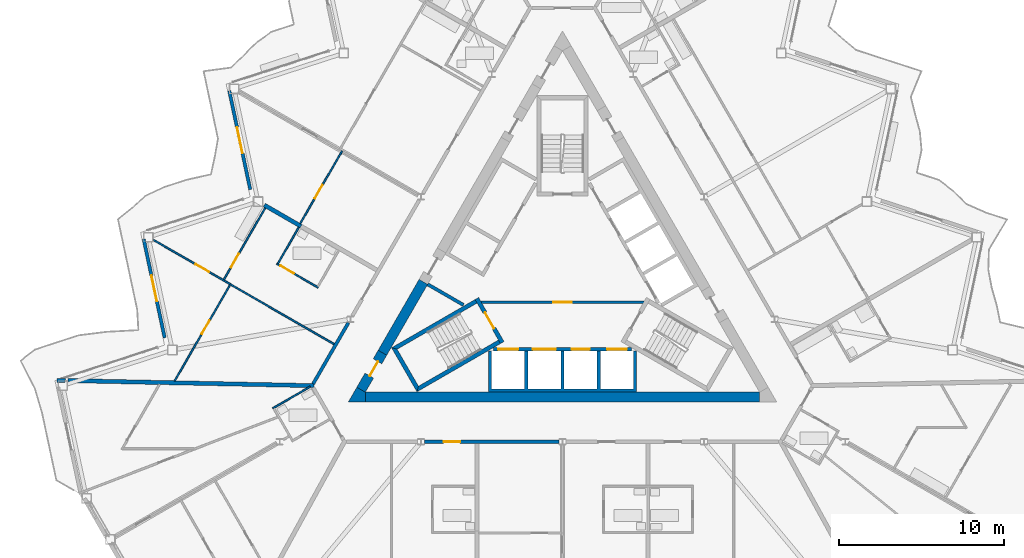
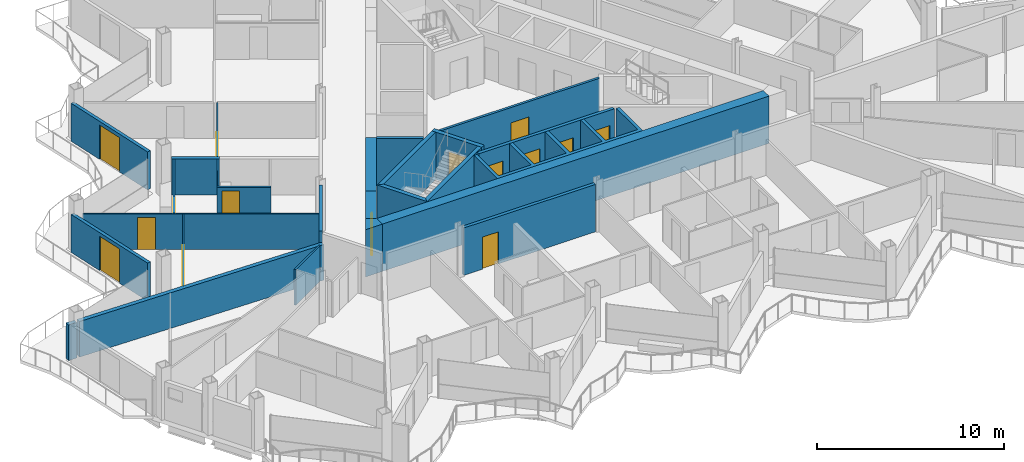
# One storey, part 14 of 27: 26 walls, 15 doors, 15 openings.
"""IFC4 building model written with IfcOpenShell, lengths in metres."""

from ifc_helpers import new_model, si_unit, direction, frame, frame_2d, origin, place, context, subcontext, project, spatial, polyline, rectangle, outline, extrude, material, layer, layer_set, type_object, element, fill, save


model = new_model("IFC4")

# Units and contexts
model_context = context("Model", 3, precision=1e-05, world=origin(), true_north=direction((0.0, 1.0)))
body_context = subcontext(model_context, "Body", "Model", "MODEL_VIEW")
ifc_project = project(units=[si_unit("LENGTHUNIT", "METRE"), si_unit("AREAUNIT", "SQUARE_METRE"), si_unit("VOLUMEUNIT", "CUBIC_METRE"), si_unit("PLANEANGLEUNIT", "RADIAN"), si_unit("MASSUNIT", "GRAM", prefix="KILO")], contexts=[model_context])

# Site, building, storey
site_placement = place(None, origin())
site = spatial("IfcSite", under=ifc_project, at=site_placement, CompositionType="ELEMENT")
building_placement = place(site_placement, origin())
building = spatial("IfcBuilding", under=site, at=building_placement, Name="Cormorant Prow Tower", CompositionType="ELEMENT")
storey_placement = place(building_placement, frame((0.0, 0.0, 318.800048828125)))
storey = spatial("IfcBuildingStorey", under=building, at=storey_placement, Name="L70", CompositionType="ELEMENT", Elevation=318.800048828125)

# Wall, opening, door
ifc_material_1 = material(Name="Gypsum board partition")
ifc_layer_1 = layer(ifc_material_1, 0.14990234375)
ifc_layer_set_1 = layer_set([ifc_layer_1], Name="Gypsum board partition")
wall_type_1 = type_object("IfcWallType", Name="Core partition 150", PredefinedType="PARTITIONING", material=ifc_layer_set_1)
wall_1_placement = place(storey_placement, frame((-4.941162109375, -1.449951171875, 0.0), z_axis=(0.0, 0.0, 1.0), x_axis=(1.0, 0.0, 0.0)))
wall_1 = element("IfcWall", 1, at=wall_1_placement, inside=storey, type_object=wall_type_1, Name="Firefighting lobby partition", PredefinedType="PARTITIONING", context=body_context, shape_type="SweptSolid", body=[
    extrude(rectangle(XDim=9.88232421875, YDim=0.14990234375, at=frame_2d((4.941162109375, 0.0))), origin(), (0.0, 0.0, 1.0), 3.099853515625),
])
opening_1_placement = place(wall_1_placement, frame((4.39111328125, 0.0, 0.0)))
opening_1 = element("IfcOpeningElement", 2, at=opening_1_placement, cuts=wall_1, Name="Opening L70-C11", PredefinedType="OPENING", context=body_context, shape_type="SweptSolid", body=[
    extrude(rectangle(XDim=1.10009765625, YDim=2.10009765625, at=frame_2d((0.550048828125, 1.050048828125))), frame((0.0, 0.0849609375, 0.0), z_axis=(0.0, -1.0, 0.0), x_axis=(1.0, 0.0, 0.0)), (0.0, 0.0, 1.0), 0.169921875),
])
ifc_material_2 = material(Name="Painted steel", Category="steel")
door_type_1 = type_object("IfcDoorType", Name="Firefighting lobby door 1100x2100", OperationType="NOTDEFINED", PredefinedType="DOOR", material=ifc_material_2)
door_1_placement = place(opening_1_placement, origin())
door_1 = element("IfcDoor", 3, at=door_1_placement, inside=storey, type_object=door_type_1, Name="Firefighting lobby door", OperationType="SINGLE_SWING_LEFT", OverallHeight=2.10009765625, OverallWidth=1.10009765625, PredefinedType="DOOR", context=body_context, shape_type="SweptSolid", body=[
    extrude(rectangle(XDim=1.10009765625, YDim=2.10009765625, at=frame_2d((0.550048828125, 1.050048828125))), frame((0.0, 0.02490234375, 0.0), z_axis=(0.0, -1.0, 0.0), x_axis=(1.0, 0.0, 0.0)), (0.0, 0.0, 1.0), 0.050048828125),
])
fill(opening_1, door_1)

# Walls
ifc_material_3 = material(Name="Concrete 8000 psi", Category="concrete")
ifc_layer_2 = layer(ifc_material_3, 0.60009765625)
ifc_layer_set_2 = layer_set([ifc_layer_2], Name="Concrete 8000 psi")
wall_type_2 = type_object("IfcWallType", Name="Core shear wall 600", PredefinedType="SHEAR", material=ifc_layer_set_2)
wall_2_placement = place(storey_placement, frame((-11.960693359375, -7.20556640625, 0.0), z_axis=(0.0, 0.0, 1.0), x_axis=(1.0, 0.0, 0.0)))
element("IfcWall", 4, at=wall_2_placement, inside=storey, type_object=wall_type_2, Name="Core wall", PredefinedType="SHEAR", context=body_context, shape_type="SweptSolid", body=[
    extrude(rectangle(XDim=23.92138671875, YDim=0.60009765625, at=frame_2d((11.960693359375, 0.0))), origin(), (0.0, 0.0, 1.0), 3.099853515625),
])
wall_3_placement = place(storey_placement, frame((-8.440185546875, -0.207763671875, 0.0), z_axis=(0.0, 0.0, 1.0), x_axis=(-0.500007425856, -0.866021116422, 0.0)))
element("IfcWall", 5, at=wall_3_placement, inside=storey, type_object=wall_type_2, Name="Core wall", PredefinedType="SHEAR", context=body_context, shape_type="SweptSolid", body=[
    extrude(rectangle(XDim=4.96875, YDim=0.60009765625, at=frame_2d((2.484375, 0.0))), origin(), (0.0, 0.0, 1.0), 3.099853515625),
])
wall_4_placement = place(storey_placement, origin())
element("IfcWall", 6, at=wall_4_placement, inside=storey, type_object=wall_type_2, Name="Core wall corner", PredefinedType="SHEAR", context=body_context, shape_type="SweptSolid", body=[
    extrude(outline(polyline([(-12.48046875, -6.605712890625), (-11.960693359375, -6.905517578125), (-11.960693359375, -7.505615234375), (-13.0, -7.505615234375), (-12.48046875, -6.605712890625)])), origin(), (0.0, 0.0, 1.0), 3.099853515625),
])

# Wall, opening, door
wall_5_placement = place(storey_placement, frame((-10.924560546875, -4.5107421875, 0.0), z_axis=(0.0, 0.0, 1.0), x_axis=(-0.500018667571, -0.866014625789, 0.0)))
wall_5 = element("IfcWall", 7, at=wall_5_placement, inside=storey, type_object=wall_type_2, Name="Core wall door panel", PredefinedType="SHEAR", context=body_context, shape_type="SweptSolid", body=[
    extrude(rectangle(XDim=2.59228515625, YDim=0.60009765625, at=frame_2d((1.296142578125, 0.0))), origin(), (0.0, 0.0, 1.0), 3.099853515625),
])
opening_2_placement = place(wall_5_placement, frame((0.60009765625, 0.0, 0.0)))
opening_2 = element("IfcOpeningElement", 8, at=opening_2_placement, cuts=wall_5, Name="Opening L70-C15", PredefinedType="OPENING", context=body_context, shape_type="SweptSolid", body=[
    extrude(rectangle(XDim=1.0, YDim=2.10009765625, at=frame_2d((0.5, 1.050048828125))), frame((0.0, 0.31005859375, 0.0), z_axis=(0.0, -1.0, 0.0), x_axis=(1.0, 0.0, 0.0)), (0.0, 0.0, 1.0), 0.6201171875),
])
ifc_material_4 = material(Name="Painted steel", Category="steel")
door_type_2 = type_object("IfcDoorType", Name="Service door 1000x2100", OperationType="NOTDEFINED", PredefinedType="DOOR", material=ifc_material_4)
door_2_placement = place(opening_2_placement, origin())
door_2 = element("IfcDoor", 9, at=door_2_placement, inside=storey, type_object=door_type_2, Name="Core door, Electrical room", OperationType="SINGLE_SWING_RIGHT", OverallHeight=2.10009765625, OverallWidth=1.0, PredefinedType="DOOR", context=body_context, shape_type="SweptSolid", body=[
    extrude(rectangle(XDim=1.0, YDim=2.10009765625, at=frame_2d((0.5, 1.050048828125))), frame((0.0, 0.05517578125, 0.0), z_axis=(0.0, -1.0, 0.0), x_axis=(1.0, 0.0, 0.0)), (0.0, 0.0, 1.0), 0.050048828125),
])
fill(opening_2, door_2)

ifc_material_5 = material(Name="Gypsum board corridor wall")
ifc_layer_3 = layer(ifc_material_5, 0.199951171875)
ifc_layer_set_3 = layer_set([ifc_layer_3], Name="Gypsum board corridor wall")
wall_type_3 = type_object("IfcWallType", Name="Corridor wall 200", PredefinedType="PARTITIONING", material=ifc_layer_set_3)
wall_6_placement = place(storey_placement, frame((-8.370849609375, -9.905517578125, 0.0), z_axis=(0.0, 0.0, 1.0), x_axis=(1.0, 0.0, 0.0)))
wall_6 = element("IfcWall", 10, at=wall_6_placement, inside=storey, type_object=wall_type_3, Name="Corridor wall", PredefinedType="PARTITIONING", context=body_context, shape_type="SweptSolid", body=[
    extrude(rectangle(XDim=8.1630859375, YDim=0.199951171875, at=frame_2d((4.08154296875, 0.0))), origin(), (0.0, 0.0, 1.0), 3.099853515625),
])
opening_3_placement = place(wall_6_placement, frame((1.15869140625, 0.0, 0.0)))
opening_3 = element("IfcOpeningElement", 11, at=opening_3_placement, cuts=wall_6, Name="Opening L70-F01", PredefinedType="OPENING", context=body_context, shape_type="SweptSolid", body=[
    extrude(rectangle(XDim=1.0, YDim=2.10009765625, at=frame_2d((0.5, 1.050048828125))), frame((0.0, 0.10986328125, 0.0), z_axis=(0.0, -1.0, 0.0), x_axis=(1.0, 0.0, 0.0)), (0.0, 0.0, 1.0), 0.219970703125),
])
ifc_material_6 = material(Name="Timber door leaf", Category="wood")
door_type_3 = type_object("IfcDoorType", Name="Flat or room entrance door 1000x2100", OperationType="NOTDEFINED", PredefinedType="DOOR", material=ifc_material_6)
door_3_placement = place(opening_3_placement, origin())
door_3 = element("IfcDoor", 12, at=door_3_placement, inside=storey, type_object=door_type_3, Name="Living room door", OperationType="SINGLE_SWING_RIGHT", OverallHeight=2.10009765625, OverallWidth=1.0, PredefinedType="DOOR", context=body_context, shape_type="SweptSolid", body=[
    extrude(rectangle(XDim=1.0, YDim=2.10009765625, at=frame_2d((0.5, 1.050048828125))), frame((0.0, 0.02490234375, 0.0), z_axis=(0.0, -1.0, 0.0), x_axis=(1.0, 0.0, 0.0)), (0.0, 0.0, 1.0), 0.050048828125),
])
fill(opening_3, door_3)

# Wall
wall_7_placement = place(storey_placement, frame((-15.13134765625, -6.397216796875, 0.0), z_axis=(0.0, 0.0, 1.0), x_axis=(0.500003406062, 0.866023437285, 0.0)))
element("IfcWall", 13, at=wall_7_placement, inside=storey, type_object=wall_type_3, Name="Corridor wall", PredefinedType="PARTITIONING", context=body_context, shape_type="SweptSolid", body=[
    extrude(rectangle(XDim=4.28759765625, YDim=0.199951171875, at=frame_2d((2.143798828125, 0.0))), origin(), (0.0, 0.0, 1.0), 3.099853515625),
])

# Wall, opening, door
ifc_material_7 = material(Name="Gypsum board partition")
ifc_layer_4 = layer(ifc_material_7, 0.10009765625)
ifc_layer_set_4 = layer_set([ifc_layer_4], Name="Gypsum board partition")
wall_type_4 = type_object("IfcWallType", Name="Internal partition 100", PredefinedType="PARTITIONING", material=ifc_layer_set_4)
wall_8_placement = place(storey_placement, frame((-24.814697265625, 2.33447265625, 0.0), z_axis=(0.0, 0.0, 1.0), x_axis=(0.866024591023, -0.500001407741, 0.0)))
wall_8 = element("IfcWall", 14, at=wall_8_placement, inside=storey, type_object=wall_type_4, Name="Internal partition", PredefinedType="PARTITIONING", context=body_context, shape_type="SweptSolid", body=[
    extrude(rectangle(XDim=12.65185546875, YDim=0.10009765625, at=frame_2d((6.325927734375, 0.0))), origin(), (0.0, 0.0, 1.0), 2.330078125),
])
opening_4_placement = place(wall_8_placement, frame((2.950439453125, 0.0, 0.0)))
opening_4 = element("IfcOpeningElement", 15, at=opening_4_placement, cuts=wall_8, Name="Opening L70-F46", PredefinedType="OPENING", context=body_context, shape_type="SweptSolid", body=[
    extrude(rectangle(XDim=0.949951171875, YDim=2.10009765625, at=frame_2d((0.47509765625, 1.050048828125))), frame((0.0, 0.06005859375, 0.0), z_axis=(0.0, -1.0, 0.0), x_axis=(1.0, 0.0, 0.0)), (0.0, 0.0, 1.0), 0.1201171875),
])
ifc_material_8 = material(Name="Timber door leaf", Category="wood")
door_type_4 = type_object("IfcDoorType", Name="Bathroom door 950x2100", OperationType="NOTDEFINED", PredefinedType="DOOR", material=ifc_material_8)
door_4_placement = place(opening_4_placement, origin())
door_4 = element("IfcDoor", 16, at=door_4_placement, inside=storey, type_object=door_type_4, Name="Kitchen door", OperationType="SINGLE_SWING_RIGHT", OverallHeight=2.10009765625, OverallWidth=0.949951171875, PredefinedType="DOOR", context=body_context, shape_type="SweptSolid", body=[
    extrude(rectangle(XDim=0.949951171875, YDim=2.10009765625, at=frame_2d((0.47509765625, 1.050048828125))), frame((0.0, 0.02490234375, 0.0), z_axis=(0.0, -1.0, 0.0), x_axis=(1.0, 0.0, 0.0)), (0.0, 0.0, 1.0), 0.050048828125),
])
fill(opening_4, door_4)

wall_9_placement = place(storey_placement, frame((-23.5361328125, -6.2236328125, 0.0), z_axis=(0.0, 0.0, 1.0), x_axis=(0.500002256251, 0.866024101133, 0.0)))
wall_9 = element("IfcWall", 17, at=wall_9_placement, inside=storey, type_object=wall_type_4, Name="Internal partition", PredefinedType="PARTITIONING", context=body_context, shape_type="SweptSolid", body=[
    extrude(rectangle(XDim=6.72216796875, YDim=0.10009765625, at=frame_2d((3.361083984375, 0.0))), origin(), (0.0, 0.0, 1.0), 2.330078125),
])
opening_5_placement = place(wall_9_placement, frame((3.291748046875, 0.0, 0.0)))
opening_5 = element("IfcOpeningElement", 18, at=opening_5_placement, cuts=wall_9, Name="Opening L70-F47", PredefinedType="OPENING", context=body_context, shape_type="SweptSolid", body=[
    extrude(rectangle(XDim=0.949951171875, YDim=2.10009765625, at=frame_2d((0.47509765625, 1.050048828125))), frame((0.0, 0.06005859375, 0.0), z_axis=(0.0, -1.0, 0.0), x_axis=(1.0, 0.0, 0.0)), (0.0, 0.0, 1.0), 0.1201171875),
])
door_5_placement = place(opening_5_placement, origin())
door_5 = element("IfcDoor", 19, at=door_5_placement, inside=storey, type_object=door_type_4, Name="Bedroom door", OperationType="SINGLE_SWING_RIGHT", OverallHeight=2.10009765625, OverallWidth=0.949951171875, PredefinedType="DOOR", context=body_context, shape_type="SweptSolid", body=[
    extrude(rectangle(XDim=0.949951171875, YDim=2.10009765625, at=frame_2d((0.47509765625, 1.050048828125))), frame((0.0, 0.02490234375, 0.0), z_axis=(0.0, -1.0, 0.0), x_axis=(1.0, 0.0, 0.0)), (0.0, 0.0, 1.0), 0.050048828125),
])
fill(opening_5, door_5)

wall_10_placement = place(storey_placement, frame((-15.91162109375, 3.334716796875, 0.0), z_axis=(0.0, 0.0, 1.0), x_axis=(0.49999906822, 0.866025941747, 0.0)))
wall_10 = element("IfcWall", 20, at=wall_10_placement, inside=storey, type_object=wall_type_4, Name="Internal partition", PredefinedType="PARTITIONING", context=body_context, shape_type="SweptSolid", body=[
    extrude(rectangle(XDim=5.06787109375, YDim=0.10009765625, at=frame_2d((2.533935546875, 0.0))), origin(), (0.0, 0.0, 1.0), 2.330078125),
])
opening_6_placement = place(wall_10_placement, frame((1.75732421875, 0.0, 0.0)))
opening_6 = element("IfcOpeningElement", 21, at=opening_6_placement, cuts=wall_10, Name="Opening L70-F41", PredefinedType="OPENING", context=body_context, shape_type="SweptSolid", body=[
    extrude(rectangle(XDim=0.949951171875, YDim=2.10009765625, at=frame_2d((0.47509765625, 1.050048828125))), frame((0.0, 0.06005859375, 0.0), z_axis=(0.0, -1.0, 0.0), x_axis=(1.0, 0.0, 0.0)), (0.0, 0.0, 1.0), 0.1201171875),
])
door_6_placement = place(opening_6_placement, origin())
door_6 = element("IfcDoor", 22, at=door_6_placement, inside=storey, type_object=door_type_4, Name="Bedroom door", OperationType="SINGLE_SWING_LEFT", OverallHeight=2.10009765625, OverallWidth=0.949951171875, PredefinedType="DOOR", context=body_context, shape_type="SweptSolid", body=[
    extrude(rectangle(XDim=0.949951171875, YDim=2.10009765625, at=frame_2d((0.47509765625, 1.050048828125))), frame((0.0, 0.02490234375, 0.0), z_axis=(0.0, -1.0, 0.0), x_axis=(1.0, 0.0, 0.0)), (0.0, 0.0, 1.0), 0.050048828125),
])
fill(opening_6, door_6)

wall_11_placement = place(storey_placement, frame((-20.546630859375, -0.072021484375, 0.0), z_axis=(0.0, 0.0, 1.0), x_axis=(0.499969537666, 0.866042990507, 0.0)))
wall_11 = element("IfcWall", 23, at=wall_11_placement, inside=storey, type_object=wall_type_4, Name="Internal partition", PredefinedType="PARTITIONING", context=body_context, shape_type="SweptSolid", body=[
    extrude(rectangle(XDim=5.017822265625, YDim=0.10009765625, at=frame_2d((2.5087890625, 0.0))), origin(), (0.0, 0.0, 1.0), 2.330078125),
])
opening_7_placement = place(wall_11_placement, frame((0.861572265625, 0.0, 0.0)))
opening_7 = element("IfcOpeningElement", 24, at=opening_7_placement, cuts=wall_11, Name="Opening L70-F45", PredefinedType="OPENING", context=body_context, shape_type="SweptSolid", body=[
    extrude(rectangle(XDim=0.949951171875, YDim=2.10009765625, at=frame_2d((0.47509765625, 1.050048828125))), frame((0.0, 0.06005859375, 0.0), z_axis=(0.0, -1.0, 0.0), x_axis=(1.0, 0.0, 0.0)), (0.0, 0.0, 1.0), 0.1201171875),
])
door_7_placement = place(opening_7_placement, origin())
door_7 = element("IfcDoor", 25, at=door_7_placement, inside=storey, type_object=door_type_4, Name="Living room door", OperationType="SINGLE_SWING_LEFT", OverallHeight=2.10009765625, OverallWidth=0.949951171875, PredefinedType="DOOR", context=body_context, shape_type="SweptSolid", body=[
    extrude(rectangle(XDim=0.949951171875, YDim=2.10009765625, at=frame_2d((0.47509765625, 1.050048828125))), frame((0.0, 0.02490234375, 0.0), z_axis=(0.0, -1.0, 0.0), x_axis=(1.0, 0.0, 0.0)), (0.0, 0.0, 1.0), 0.050048828125),
])
fill(opening_7, door_7)

wall_12_placement = place(storey_placement, frame((-17.331298828125, 0.892333984375, 0.0), z_axis=(0.0, 0.0, 1.0), x_axis=(0.866032775405, -0.499987231761, 0.0)))
wall_12 = element("IfcWall", 26, at=wall_12_placement, inside=storey, type_object=wall_type_4, Name="Internal partition", PredefinedType="PARTITIONING", context=body_context, shape_type="SweptSolid", body=[
    extrude(rectangle(XDim=2.89990234375, YDim=0.10009765625, at=frame_2d((1.449951171875, 0.0))), origin(), (0.0, 0.0, 1.0), 2.330078125),
])
opening_8_placement = place(wall_12_placement, frame((0.25, 0.0, 0.0)))
opening_8 = element("IfcOpeningElement", 27, at=opening_8_placement, cuts=wall_12, Name="Opening L70-F44", PredefinedType="OPENING", context=body_context, shape_type="SweptSolid", body=[
    extrude(rectangle(XDim=0.949951171875, YDim=2.10009765625, at=frame_2d((0.47509765625, 1.050048828125))), frame((0.0, 0.06005859375, 0.0), z_axis=(0.0, -1.0, 0.0), x_axis=(1.0, 0.0, 0.0)), (0.0, 0.0, 1.0), 0.1201171875),
])
door_8_placement = place(opening_8_placement, origin())
door_8 = element("IfcDoor", 28, at=door_8_placement, inside=storey, type_object=door_type_4, Name="Living room door", OperationType="SINGLE_SWING_LEFT", OverallHeight=2.10009765625, OverallWidth=0.949951171875, PredefinedType="DOOR", context=body_context, shape_type="SweptSolid", body=[
    extrude(rectangle(XDim=0.949951171875, YDim=2.10009765625, at=frame_2d((0.47509765625, 1.050048828125))), frame((0.0, 0.02490234375, 0.0), z_axis=(0.0, -1.0, 0.0), x_axis=(1.0, 0.0, 0.0)), (0.0, 0.0, 1.0), 0.050048828125),
])
fill(opening_8, door_8)

# Walls
wall_13_placement = place(storey_placement, frame((-17.262939453125, 0.91064453125, 0.0), z_axis=(0.0, 0.0, 1.0), x_axis=(0.499976333282, 0.866039067339, 0.0)))
element("IfcWall", 29, at=wall_13_placement, inside=storey, type_object=wall_type_4, Name="Internal partition", PredefinedType="PARTITIONING", context=body_context, shape_type="SweptSolid", body=[
    extrude(rectangle(XDim=2.52490234375, YDim=0.10009765625, at=frame_2d((1.262451171875, 0.0))), origin(), (0.0, 0.0, 1.0), 2.330078125),
])
wall_14_placement = place(storey_placement, frame((-17.575439453125, -7.880615234375, 0.0), z_axis=(0.0, 0.0, 1.0), x_axis=(0.866013657776, 0.500020344131, 0.0)))
element("IfcWall", 30, at=wall_14_placement, inside=storey, type_object=wall_type_4, Name="Internal partition", PredefinedType="PARTITIONING", context=body_context, shape_type="SweptSolid", body=[
    extrude(rectangle(XDim=2.625, YDim=0.10009765625, at=frame_2d((1.3125, 0.0))), origin(), (0.0, 0.0, 1.0), 2.330078125),
])

# Wall, openings, doors
ifc_material_9 = material(Name="Concrete 5000 psi", Category="concrete")
ifc_layer_5 = layer(ifc_material_9, 0.199951171875)
ifc_layer_set_5 = layer_set([ifc_layer_5], Name="Concrete 5000 psi")
wall_type_5 = type_object("IfcWallType", Name="Lift lobby wall 200", PredefinedType="SOLIDWALL", material=ifc_layer_set_5)
wall_15_placement = place(storey_placement, frame((-4.1865234375, -4.300048828125, 0.0), z_axis=(0.0, 0.0, 1.0), x_axis=(1.0, 0.0, 0.0)))
wall_15 = element("IfcWall", 31, at=wall_15_placement, inside=storey, type_object=wall_type_5, Name="Lift lobby wall, S block", PredefinedType="SOLIDWALL", context=body_context, shape_type="SweptSolid", body=[
    extrude(rectangle(XDim=8.373046875, YDim=0.199951171875, at=frame_2d((4.1865234375, 0.0))), origin(), (0.0, 0.0, 1.0), 3.099853515625),
])
opening_9_placement = place(wall_15_placement, frame((0.28662109375, 0.0, 0.0)))
opening_9 = element("IfcOpeningElement", 32, at=opening_9_placement, cuts=wall_15, Name="Opening L70-C01", PredefinedType="OPENING", context=body_context, shape_type="SweptSolid", body=[
    extrude(rectangle(XDim=1.199951171875, YDim=2.10009765625, at=frame_2d((0.60009765625, 1.050048828125))), frame((0.0, 0.10986328125, 0.0), z_axis=(0.0, -1.0, 0.0), x_axis=(1.0, 0.0, 0.0)), (0.0, 0.0, 1.0), 0.219970703125),
])
opening_10_placement = place(wall_15_placement, frame((2.38671875, 0.0, 0.0)))
opening_10 = element("IfcOpeningElement", 33, at=opening_10_placement, cuts=wall_15, Name="Opening L70-C02", PredefinedType="OPENING", context=body_context, shape_type="SweptSolid", body=[
    extrude(rectangle(XDim=1.39990234375, YDim=2.10009765625, at=frame_2d((0.699951171875, 1.050048828125))), frame((0.0, 0.10986328125, 0.0), z_axis=(0.0, -1.0, 0.0), x_axis=(1.0, 0.0, 0.0)), (0.0, 0.0, 1.0), 0.219970703125),
])
opening_11_placement = place(wall_15_placement, frame((4.736572265625, 0.0, 0.0)))
opening_11 = element("IfcOpeningElement", 34, at=opening_11_placement, cuts=wall_15, Name="Opening L70-C03", PredefinedType="OPENING", context=body_context, shape_type="SweptSolid", body=[
    extrude(rectangle(XDim=1.10009765625, YDim=2.10009765625, at=frame_2d((0.550048828125, 1.050048828125))), frame((0.0, 0.10986328125, 0.0), z_axis=(0.0, -1.0, 0.0), x_axis=(1.0, 0.0, 0.0)), (0.0, 0.0, 1.0), 0.219970703125),
])
opening_12_placement = place(wall_15_placement, frame((6.88671875, 0.0, 0.0)))
opening_12 = element("IfcOpeningElement", 35, at=opening_12_placement, cuts=wall_15, Name="Opening L70-C04", PredefinedType="OPENING", context=body_context, shape_type="SweptSolid", body=[
    extrude(rectangle(XDim=1.199951171875, YDim=2.10009765625, at=frame_2d((0.60009765625, 1.050048828125))), frame((0.0, 0.10986328125, 0.0), z_axis=(0.0, -1.0, 0.0), x_axis=(1.0, 0.0, 0.0)), (0.0, 0.0, 1.0), 0.219970703125),
])
ifc_material_10 = material(Name="Painted steel", Category="steel")
door_type_5 = type_object("IfcDoorType", Name="Firefighting lift landing door 1200x2100", OperationType="SLIDING_TO_LEFT", PredefinedType="DOOR", material=ifc_material_10)
door_9_placement = place(opening_9_placement, origin())
door_9 = element("IfcDoor", 36, at=door_9_placement, inside=storey, type_object=door_type_5, Name="Landing door FL1", OperationType="SLIDING_TO_LEFT", OverallHeight=2.10009765625, OverallWidth=1.199951171875, PredefinedType="DOOR", context=body_context, shape_type="SweptSolid", body=[
    extrude(rectangle(XDim=1.199951171875, YDim=2.10009765625, at=frame_2d((0.60009765625, 1.050048828125))), frame((0.0, 0.02490234375, 0.0), z_axis=(0.0, -1.0, 0.0), x_axis=(1.0, 0.0, 0.0)), (0.0, 0.0, 1.0), 0.050048828125),
])
fill(opening_9, door_9)
door_10_placement = place(opening_12_placement, origin())
door_10 = element("IfcDoor", 37, at=door_10_placement, inside=storey, type_object=door_type_5, Name="Landing door FL2", OperationType="SLIDING_TO_LEFT", OverallHeight=2.10009765625, OverallWidth=1.199951171875, PredefinedType="DOOR", context=body_context, shape_type="SweptSolid", body=[
    extrude(rectangle(XDim=1.199951171875, YDim=2.10009765625, at=frame_2d((0.60009765625, 1.050048828125))), frame((0.0, 0.02490234375, 0.0), z_axis=(0.0, -1.0, 0.0), x_axis=(1.0, 0.0, 0.0)), (0.0, 0.0, 1.0), 0.050048828125),
])
fill(opening_12, door_10)
ifc_material_11 = material(Name="Painted steel", Category="steel")
door_type_6 = type_object("IfcDoorType", Name="Lift landing door 1100x2100", OperationType="SLIDING_TO_LEFT", PredefinedType="DOOR", material=ifc_material_11)
door_11_placement = place(opening_11_placement, origin())
door_11 = element("IfcDoor", 38, at=door_11_placement, inside=storey, type_object=door_type_6, Name="Landing door HR1", OperationType="SLIDING_TO_LEFT", OverallHeight=2.10009765625, OverallWidth=1.10009765625, PredefinedType="DOOR", context=body_context, shape_type="SweptSolid", body=[
    extrude(rectangle(XDim=1.10009765625, YDim=2.10009765625, at=frame_2d((0.550048828125, 1.050048828125))), frame((0.0, 0.02490234375, 0.0), z_axis=(0.0, -1.0, 0.0), x_axis=(1.0, 0.0, 0.0)), (0.0, 0.0, 1.0), 0.050048828125),
])
fill(opening_11, door_11)
ifc_material_12 = material(Name="Painted steel", Category="steel")
door_type_7 = type_object("IfcDoorType", Name="Service lift landing door 1400x2100", OperationType="SLIDING_TO_LEFT", PredefinedType="DOOR", material=ifc_material_12)
door_12_placement = place(opening_10_placement, origin())
door_12 = element("IfcDoor", 39, at=door_12_placement, inside=storey, type_object=door_type_7, Name="Landing door SL1", OperationType="SLIDING_TO_LEFT", OverallHeight=2.10009765625, OverallWidth=1.39990234375, PredefinedType="DOOR", context=body_context, shape_type="SweptSolid", body=[
    extrude(rectangle(XDim=1.39990234375, YDim=2.10009765625, at=frame_2d((0.699951171875, 1.050048828125))), frame((0.0, 0.02490234375, 0.0), z_axis=(0.0, -1.0, 0.0), x_axis=(1.0, 0.0, 0.0)), (0.0, 0.0, 1.0), 0.050048828125),
])
fill(opening_10, door_12)

# Walls
ifc_material_13 = material(Name="Concrete 8000 psi", Category="concrete")
ifc_layer_6 = layer(ifc_material_13, 0.199951171875)
ifc_layer_set_6 = layer_set([ifc_layer_6], Name="Concrete 8000 psi")
wall_type_6 = type_object("IfcWallType", Name="Lift shaft wall 200", PredefinedType="SHEAR", material=ifc_layer_set_6)
wall_16_placement = place(storey_placement, origin())
element("IfcWall", 40, at=wall_16_placement, inside=storey, type_object=wall_type_6, Name="Lift shaft walls, S block", PredefinedType="SHEAR", context=body_context, shape_type="SweptSolid", body=[
    extrude(outline(polyline([(4.5, -4.39990234375), (4.5, -6.906005859375), (-4.5, -6.906005859375), (-4.5, -4.39990234375), (-4.300048828125, -4.39990234375), (-4.300048828125, -6.699951171875), (-2.300048828125, -6.699951171875), (-2.300048828125, -4.39990234375), (-2.10009765625, -4.39990234375), (-2.10009765625, -6.699951171875), (-0.10009765625, -6.699951171875), (-0.10009765625, -4.39990234375), (0.10009765625, -4.39990234375), (0.10009765625, -6.699951171875), (2.10009765625, -6.699951171875), (2.10009765625, -4.39990234375), (2.300048828125, -4.39990234375), (2.300048828125, -6.699951171875), (4.300048828125, -6.699951171875), (4.300048828125, -4.39990234375), (4.5, -4.39990234375)])), origin(), (0.0, 0.0, 1.0), 3.099853515625),
])
wall_17_placement = place(storey_placement, origin())
element("IfcWall", 41, at=wall_17_placement, inside=storey, type_object=wall_type_6, Name="Lift shaft walls, WNW block", PredefinedType="SHEAR", context=body_context, shape_type="SweptSolid", body=[
    extrude(outline(polyline([(-6.060546875, -1.697021484375), (-8.230712890625, -0.444091796875), (-8.130859375, -0.27099609375), (-5.96044921875, -1.52392578125), (-6.060546875, -1.697021484375)])), origin(), (0.0, 0.0, 1.0), 3.099853515625),
])
ifc_material_14 = material(Name="Concrete 8000 psi", Category="concrete")
ifc_layer_7 = layer(ifc_material_14, 0.25)
ifc_layer_set_7 = layer_set([ifc_layer_7], Name="Concrete 8000 psi")
wall_type_7 = type_object("IfcWallType", Name="Stair wall 250", PredefinedType="SHEAR", material=ifc_layer_set_7)
wall_18_placement = place(storey_placement, origin())
element("IfcWall", 42, at=wall_18_placement, inside=storey, type_object=wall_type_7, Name="Stair ST1 enclosure wall (flank)", PredefinedType="SHEAR", context=body_context, shape_type="SweptSolid", body=[
    extrude(outline(polyline([(-5.30712890625, -1.28125), (-10.37353515625, -4.206298828125), (-10.031982421875, -4.2978515625), (-5.18212890625, -1.497802734375), (-5.30712890625, -1.28125)])), origin(), (0.0, 0.0, 1.0), 3.099853515625),
])
wall_19_placement = place(storey_placement, origin())
element("IfcWall", 43, at=wall_19_placement, inside=storey, type_object=wall_type_7, Name="Stair ST1 enclosure wall (end)", PredefinedType="SHEAR", context=body_context, shape_type="SweptSolid", body=[
    extrude(outline(polyline([(-10.37353515625, -4.206298828125), (-8.82958984375, -6.880615234375), (-8.738037109375, -6.5390625), (-10.031982421875, -4.2978515625), (-10.37353515625, -4.206298828125)])), origin(), (0.0, 0.0, 1.0), 3.099853515625),
])
wall_20_placement = place(storey_placement, origin())
element("IfcWall", 44, at=wall_20_placement, inside=storey, type_object=wall_type_7, Name="Stair ST1 enclosure wall (flank)", PredefinedType="SHEAR", context=body_context, shape_type="SweptSolid", body=[
    extrude(outline(polyline([(-8.738037109375, -6.5390625), (-8.82958984375, -6.880615234375), (-3.76318359375, -3.95556640625), (-3.88818359375, -3.739013671875), (-8.738037109375, -6.5390625)])), origin(), (0.0, 0.0, 1.0), 3.099853515625),
])

# Wall, opening, door
wall_21_placement = place(storey_placement, frame((-5.198974609375, -1.21875, 0.0), z_axis=(0.0, 0.0, 1.0), x_axis=(0.499982516597, -0.866035497597, 0.0)))
wall_21 = element("IfcWall", 45, at=wall_21_placement, inside=storey, type_object=wall_type_7, Name="Stair ST1 door wall", PredefinedType="SHEAR", context=body_context, shape_type="SweptSolid", body=[
    extrude(rectangle(XDim=3.087890625, YDim=0.25, at=frame_2d((1.5439453125, 0.0))), origin(), (0.0, 0.0, 1.0), 3.099853515625),
])
opening_13_placement = place(wall_21_placement, frame((0.993896484375, 0.0, 0.0)))
opening_13 = element("IfcOpeningElement", 46, at=opening_13_placement, cuts=wall_21, Name="Opening L70-C12", PredefinedType="OPENING", context=body_context, shape_type="SweptSolid", body=[
    extrude(rectangle(XDim=1.10009765625, YDim=2.10009765625, at=frame_2d((0.550048828125, 1.050048828125))), frame((0.0, 0.135009765625, 0.0), z_axis=(0.0, -1.0, 0.0), x_axis=(1.0, 0.0, 0.0)), (0.0, 0.0, 1.0), 0.27001953125),
])
ifc_material_15 = material(Name="Painted steel", Category="steel")
door_type_8 = type_object("IfcDoorType", Name="Stair door 1100x2100", OperationType="NOTDEFINED", PredefinedType="DOOR", material=ifc_material_15)
door_13_placement = place(opening_13_placement, origin())
door_13 = element("IfcDoor", 47, at=door_13_placement, inside=storey, type_object=door_type_8, Name="Stair ST1 door", OperationType="SINGLE_SWING_LEFT", OverallHeight=2.10009765625, OverallWidth=1.10009765625, PredefinedType="DOOR", context=body_context, shape_type="SweptSolid", body=[
    extrude(rectangle(XDim=1.10009765625, YDim=2.10009765625, at=frame_2d((0.550048828125, 1.050048828125))), frame((0.0, 0.02490234375, 0.0), z_axis=(0.0, -1.0, 0.0), x_axis=(1.0, 0.0, 0.0)), (0.0, 0.0, 1.0), 0.050048828125),
])
fill(opening_13, door_13)

# Walls
ifc_material_16 = material(Name="Acoustic gypsum party wall")
ifc_layer_8 = layer(ifc_material_16, 0.25)
ifc_layer_set_8 = layer_set([ifc_layer_8], Name="Acoustic gypsum party wall")
wall_type_8 = type_object("IfcWallType", Name="Suite party wall 250", PredefinedType="PARTITIONING", material=ifc_layer_set_8)
wall_22_placement = place(storey_placement, frame((-30.016357421875, -6.19921875, 0.0), z_axis=(0.0, 0.0, 1.0), x_axis=(0.999786619639, -0.02065708573, 0.0)))
element("IfcWall", 48, at=wall_22_placement, inside=storey, type_object=wall_type_8, Name="Suite party wall", PredefinedType="PARTITIONING", context=body_context, shape_type="SweptSolid", body=[
    extrude(rectangle(XDim=14.95068359375, YDim=0.25, at=frame_2d((7.475341796875, 0.0))), origin(), (0.0, 0.0, 1.0), 2.330078125),
])
wall_23_placement = place(storey_placement, frame((-18.09228515625, 4.449462890625, 0.0), z_axis=(0.0, 0.0, 1.0), x_axis=(0.866043267704, -0.499969057507, 0.0)))
element("IfcWall", 49, at=wall_23_placement, inside=storey, type_object=wall_type_8, Name="Suite party wall", PredefinedType="PARTITIONING", context=body_context, shape_type="SweptSolid", body=[
    extrude(rectangle(XDim=2.571044921875, YDim=0.25, at=frame_2d((1.28564453125, 0.0))), origin(), (0.0, 0.0, 1.0), 2.330078125),
])
wall_24_placement = place(storey_placement, frame((-30.6806640625, -6.185546875, 0.0), z_axis=(0.0, 0.0, 1.0), x_axis=(0.999788216533, -0.020579652135, 0.0)))
element("IfcWall", 50, at=wall_24_placement, inside=storey, type_object=wall_type_8, Name="Suite party wall", PredefinedType="PARTITIONING", context=body_context, shape_type="SweptSolid", body=[
    extrude(rectangle(XDim=0.510009765625, YDim=0.25, at=frame_2d((0.2548828125, 0.0))), origin(), (0.0, 0.0, 1.0), 2.330078125),
])

# Wall, opening, door
ifc_material_17 = material(Name="Terracotta", Category="masonry")
ifc_layer_9 = layer(ifc_material_17, 0.199951171875)
ifc_layer_set_9 = layer_set([ifc_layer_9], Name="Terracotta")
wall_type_9 = type_object("IfcWallType", Name="Terracotta jamb wall 200", PredefinedType="SOLIDWALL", material=ifc_layer_set_9)
wall_25_placement = place(storey_placement, frame((-20.21728515625, 11.37744140625, 0.0), z_axis=(0.0, 0.0, 1.0), x_axis=(0.207885951908, -0.978153071354, 0.0)))
wall_25 = element("IfcWall", 51, at=wall_25_placement, inside=storey, type_object=wall_type_9, Name="Terracotta jamb wall WNW05", PredefinedType="SOLIDWALL", context=body_context, shape_type="SweptSolid", body=[
    extrude(rectangle(XDim=6.119873046875, YDim=0.199951171875, at=frame_2d((3.06005859375, 0.0))), origin(), (0.0, 0.0, 1.0), 2.48779296875),
])
opening_14_placement = place(wall_25_placement, frame((2.259765625, 0.0, 0.0)))
opening_14 = element("IfcOpeningElement", 52, at=opening_14_placement, cuts=wall_25, Name="Opening ED70.13", PredefinedType="OPENING", context=body_context, shape_type="SweptSolid", body=[
    extrude(rectangle(XDim=1.60009765625, YDim=2.25, at=frame_2d((0.800048828125, 1.125))), frame((0.0, 0.10986328125, 0.0), z_axis=(0.0, -1.0, 0.0), x_axis=(1.0, 0.0, 0.0)), (0.0, 0.0, 1.0), 0.219970703125),
])
ifc_material_18 = material(Name="Aluminium 6063-T6", Category="aluminium")
door_type_9 = type_object("IfcDoorType", Name="Balcony door 1600x2250", OperationType="DOUBLE_DOOR_SINGLE_SWING", PredefinedType="DOOR", material=ifc_material_18)
door_14_placement = place(opening_14_placement, origin())
door_14 = element("IfcDoor", 53, at=door_14_placement, inside=storey, type_object=door_type_9, Name="Balcony door WNW05 ED70.13", OperationType="DOUBLE_DOOR_SINGLE_SWING", OverallHeight=2.25, OverallWidth=1.60009765625, PredefinedType="DOOR", context=body_context, shape_type="SweptSolid", body=[
    extrude(rectangle(XDim=1.60009765625, YDim=2.25, at=frame_2d((0.800048828125, 1.125))), frame((0.0, 0.02490234375, 0.0), z_axis=(0.0, -1.0, 0.0), x_axis=(1.0, 0.0, 0.0)), (0.0, 0.0, 1.0), 0.050048828125),
])
fill(opening_14, door_14)

wall_26_placement = place(storey_placement, frame((-25.41015625, 2.383056640625, 0.0), z_axis=(0.0, 0.0, 1.0), x_axis=(0.207894064368, -0.978151347185, 0.0)))
wall_26 = element("IfcWall", 54, at=wall_26_placement, inside=storey, type_object=wall_type_9, Name="Terracotta jamb wall WNW07", PredefinedType="SOLIDWALL", context=body_context, shape_type="SweptSolid", body=[
    extrude(rectangle(XDim=6.11962890625, YDim=0.199951171875, at=frame_2d((3.059814453125, 0.0))), origin(), (0.0, 0.0, 1.0), 2.48779296875),
])
opening_15_placement = place(wall_26_placement, frame((2.259765625, 0.0, 0.0)))
opening_15 = element("IfcOpeningElement", 55, at=opening_15_placement, cuts=wall_26, Name="Opening ED70.14", PredefinedType="OPENING", context=body_context, shape_type="SweptSolid", body=[
    extrude(rectangle(XDim=1.60009765625, YDim=2.25, at=frame_2d((0.800048828125, 1.125))), frame((0.0, 0.10986328125, 0.0), z_axis=(0.0, -1.0, 0.0), x_axis=(1.0, 0.0, 0.0)), (0.0, 0.0, 1.0), 0.219970703125),
])
door_15_placement = place(opening_15_placement, origin())
door_15 = element("IfcDoor", 56, at=door_15_placement, inside=storey, type_object=door_type_9, Name="Balcony door WNW07 ED70.14", OperationType="DOUBLE_DOOR_SINGLE_SWING", OverallHeight=2.25, OverallWidth=1.60009765625, PredefinedType="DOOR", context=body_context, shape_type="SweptSolid", body=[
    extrude(rectangle(XDim=1.60009765625, YDim=2.25, at=frame_2d((0.800048828125, 1.125))), frame((0.0, 0.02490234375, 0.0), z_axis=(0.0, -1.0, 0.0), x_axis=(1.0, 0.0, 0.0)), (0.0, 0.0, 1.0), 0.050048828125),
])
fill(opening_15, door_15)

save(model, "model.ifc")
